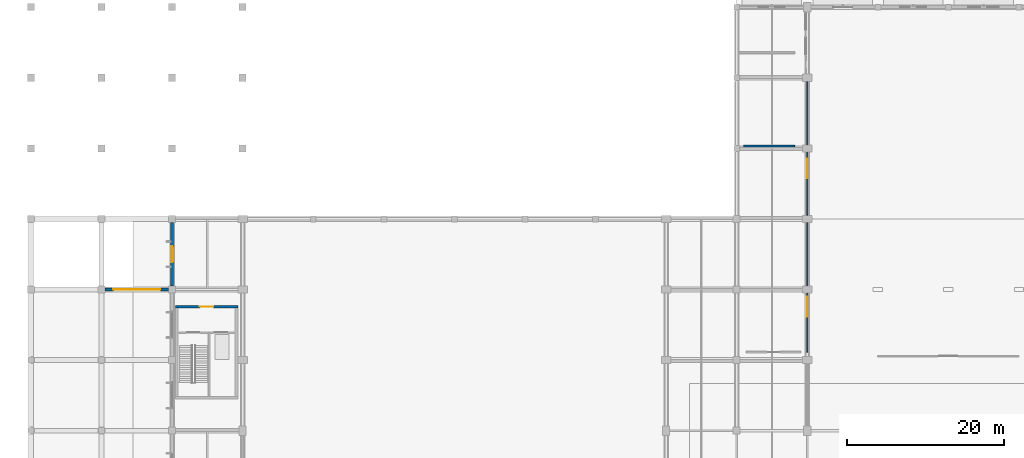
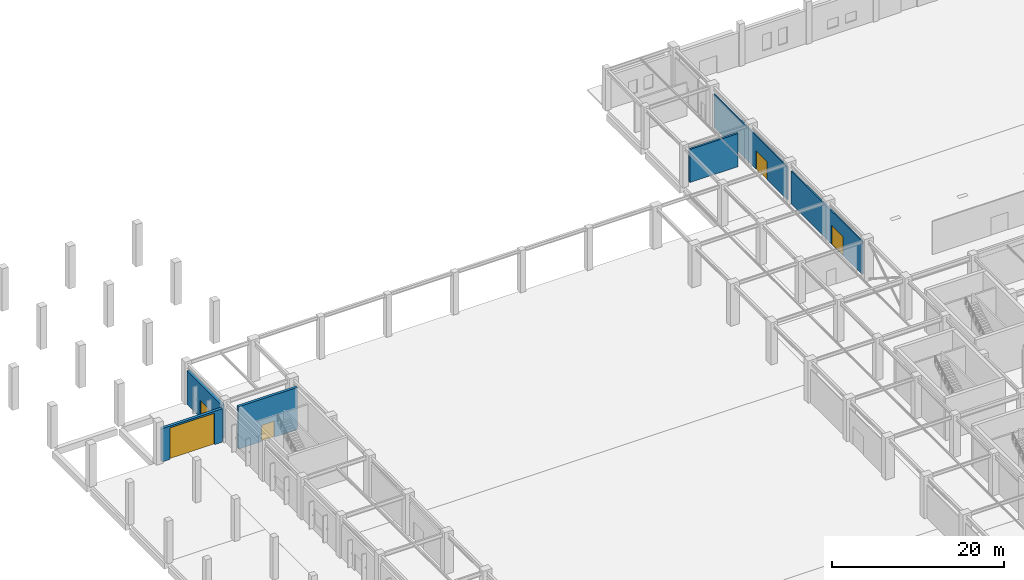
# One storey, part 67 of 91: 6 walls, 5 doors, 5 openings.
"""IFC4 building model written with IfcOpenShell, lengths in metres."""

from ifc_helpers import new_model, si_unit, direction, frame, frame_2d, origin, place, context, subcontext, project, spatial, rectangle, extrude, material, layer, layer_set, type_object, element, fill, save


model = new_model("IFC4")

# Units and contexts
model_context = context("Model", 3, precision=1e-05, world=origin(), true_north=direction((0.0, 1.0)))
body_context = subcontext(model_context, "Body", "Model", "MODEL_VIEW")
ifc_project = project(units=[si_unit("LENGTHUNIT", "METRE"), si_unit("AREAUNIT", "SQUARE_METRE"), si_unit("VOLUMEUNIT", "CUBIC_METRE"), si_unit("PLANEANGLEUNIT", "RADIAN"), si_unit("MASSUNIT", "GRAM", prefix="KILO")], contexts=[model_context])

# Site, building, storey
site_placement = place(None, origin())
site = spatial("IfcSite", under=ifc_project, at=site_placement, CompositionType="ELEMENT")
building_placement = place(site_placement, origin())
building = spatial("IfcBuilding", under=site, at=building_placement, Name="Dornveld Trade and Exhibition Forum", CompositionType="ELEMENT")
storey_placement = place(building_placement, origin())
storey = spatial("IfcBuildingStorey", under=building, at=storey_placement, Name="L00", CompositionType="ELEMENT", Elevation=0.0)

# Wall, opening, door
ifc_material_1 = material(Name="Concrete C40/50", Category="concrete")
ifc_layer_1 = layer(ifc_material_1, 0.35009765625)
ifc_layer_set_1 = layer_set([ifc_layer_1], Name="Concrete C40/50")
wall_type_1 = type_object("IfcWallType", Name="WL-CORE-350", PredefinedType="SHEAR", material=ifc_layer_set_1)
wall_1_placement = place(storey_placement, frame((18.425048828125, 123.800048828125, 0.0), z_axis=(0.0, 0.0, 1.0), x_axis=(1.0, 0.0, 0.0)))
wall_1 = element("IfcWall", 1, at=wall_1_placement, inside=storey, type_object=wall_type_1, Name="CORE-10 L00 shear wall N", PredefinedType="SHEAR", context=body_context, shape_type="SweptSolid", body=[
    extrude(rectangle(XDim=7.949951171875, YDim=0.35009765625, at=frame_2d((3.97509765625, 0.0))), origin(), (0.0, 0.0, 1.0), 6.0),
])
opening_1_placement = place(wall_1_placement, frame((3.10009765625, 0.0, 0.0)))
opening_1 = element("IfcOpeningElement", 2, at=opening_1_placement, cuts=wall_1, Name="Opening CD-10-L00", PredefinedType="OPENING", context=body_context, shape_type="SweptSolid", body=[
    extrude(rectangle(XDim=1.75, YDim=2.300048828125, at=frame_2d((0.875, 1.14990234375))), frame((0.0, 0.18505859375, 0.0), z_axis=(0.0, -1.0, 0.0), x_axis=(1.0, 0.0, 0.0)), (0.0, 0.0, 1.0), 0.3701171875),
])
ifc_material_2 = material(Name="Steel fire-rated double door assembly", Category="steel")
door_type_1 = type_object("IfcDoorType", Name="DR-CORE-175x230", OperationType="NOTDEFINED", PredefinedType="DOOR", material=ifc_material_2)
door_1_placement = place(opening_1_placement, origin())
door_1 = element("IfcDoor", 3, at=door_1_placement, inside=storey, type_object=door_type_1, Name="CORE-10 L00 core lobby double fire door", OperationType="DOUBLE_DOOR_SINGLE_SWING", OverallHeight=2.300048828125, OverallWidth=1.75, PredefinedType="DOOR", context=body_context, shape_type="SweptSolid", body=[
    extrude(rectangle(XDim=1.75, YDim=2.300048828125, at=frame_2d((0.875, 1.14990234375))), frame((0.0, 0.02490234375, 0.0), z_axis=(0.0, -1.0, 0.0), x_axis=(1.0, 0.0, 0.0)), (0.0, 0.0, 1.0), 0.050048828125),
])
fill(opening_1, door_1)

ifc_material_3 = material(Name="Precast concrete C50/60", Category="concrete")
ifc_layer_2 = layer(ifc_material_3, 0.3798828125)
ifc_layer_set_2 = layer_set([ifc_layer_2], Name="Precast concrete C50/60")
wall_type_2 = type_object("IfcWallType", Name="WL-EXT-PC380", PredefinedType="SOLIDWALL", material=ifc_layer_set_2)
wall_2_placement = place(storey_placement, frame((9.449462890625, 126.0, 0.0), z_axis=(0.0, 0.0, 1.0), x_axis=(1.0, 0.0, 0.0)))
wall_2 = element("IfcWall", 4, at=wall_2_placement, inside=storey, type_object=wall_type_2, Name="L00 precast facade wall 26", PredefinedType="SOLIDWALL", context=body_context, shape_type="SweptSolid", body=[
    extrude(rectangle(XDim=8.10107421875, YDim=0.3798828125, at=frame_2d((4.050537109375, 0.0))), origin(), (0.0, 0.0, 1.0), 4.719970703125),
])
opening_2_placement = place(wall_2_placement, frame((1.050537109375, 0.0, 0.0)))
opening_2 = element("IfcOpeningElement", 5, at=opening_2_placement, cuts=wall_2, Name="Opening VG-01", PredefinedType="OPENING", context=body_context, shape_type="SweptSolid", body=[
    extrude(rectangle(XDim=6.0, YDim=4.469970703125, at=frame_2d((3.0, 2.23486328125))), frame((0.0, 0.199951171875, 0.0), z_axis=(0.0, -1.0, 0.0), x_axis=(1.0, 0.0, 0.0)), (0.0, 0.0, 1.0), 0.39990234375),
])
ifc_material_4 = material(Name="Galvanised insulated steel", Category="steel")
door_type_2 = type_object("IfcDoorType", Name="DR-GATE-600x480", OperationType="NOTDEFINED", PredefinedType="GATE", material=ifc_material_4)
door_2_placement = place(opening_2_placement, frame((6.0, 0.0, 0.0), z_axis=(0.0, 0.0, 1.0), x_axis=(-1.0, 0.0, 0.0)))
door_2 = element("IfcDoor", 6, at=door_2_placement, inside=storey, type_object=door_type_2, Name="Heavy vehicle roller-shutter gate VG-01", OperationType="ROLLINGUP", OverallHeight=4.469970703125, OverallWidth=6.0, PredefinedType="GATE", context=body_context, shape_type="SweptSolid", body=[
    extrude(rectangle(XDim=6.0, YDim=4.469970703125, at=frame_2d((3.0, 2.23486328125))), frame((0.0, 0.02490234375, 0.0), z_axis=(0.0, -1.0, 0.0), x_axis=(1.0, 0.0, 0.0)), (0.0, 0.0, 1.0), 0.050048828125),
])
fill(opening_2, door_2)

wall_3_placement = place(storey_placement, frame((18.0, 134.550537109375, 0.0), z_axis=(0.0, 0.0, 1.0), x_axis=(0.0, -1.0, 0.0)))
wall_3 = element("IfcWall", 7, at=wall_3_placement, inside=storey, type_object=wall_type_2, Name="L00 precast facade wall 76", PredefinedType="SOLIDWALL", context=body_context, shape_type="SweptSolid", body=[
    extrude(rectangle(XDim=8.10107421875, YDim=0.3798828125, at=frame_2d((4.050537109375, 0.0))), origin(), (0.0, 0.0, 1.0), 4.719970703125),
])
opening_3_placement = place(wall_3_placement, frame((3.050537109375, 0.0, 0.0)))
opening_3 = element("IfcOpeningElement", 8, at=opening_3_placement, cuts=wall_3, Name="Opening ED-19", PredefinedType="OPENING", context=body_context, shape_type="SweptSolid", body=[
    extrude(rectangle(XDim=2.0, YDim=2.39990234375, at=frame_2d((1.0, 1.199951171875))), frame((0.0, 0.199951171875, 0.0), z_axis=(0.0, -1.0, 0.0), x_axis=(1.0, 0.0, 0.0)), (0.0, 0.0, 1.0), 0.39990234375),
])
ifc_material_5 = material(Name="Dark-bronze anodised aluminium and laminated safety glass", Category="aluminium")
door_type_3 = type_object("IfcDoorType", Name="DR-EXT-200x240", OperationType="NOTDEFINED", PredefinedType="DOOR", material=ifc_material_5)
door_3_placement = place(opening_3_placement, frame((2.0, 0.0, 0.0), z_axis=(0.0, 0.0, 1.0), x_axis=(-1.0, 0.0, 0.0)))
door_3 = element("IfcDoor", 9, at=door_3_placement, inside=storey, type_object=door_type_3, Name="Ground final exit double door 19", OperationType="DOUBLE_DOOR_SINGLE_SWING", OverallHeight=2.39990234375, OverallWidth=2.0, PredefinedType="DOOR", context=body_context, shape_type="SweptSolid", body=[
    extrude(rectangle(XDim=2.0, YDim=2.39990234375, at=frame_2d((1.0, 1.199951171875))), frame((0.0, 0.02490234375, 0.0), z_axis=(0.0, -1.0, 0.0), x_axis=(1.0, 0.0, 0.0)), (0.0, 0.0, 1.0), 0.050048828125),
])
fill(opening_3, door_3)

# Wall
ifc_material_6 = material(Name="Acoustic twin-stud gypsum and mineral wool", Category="gypsum")
ifc_layer_3 = layer(ifc_material_6, 0.25)
ifc_layer_set_3 = layer_set([ifc_layer_3], Name="Acoustic twin-stud gypsum and mineral wool")
wall_type_3 = type_object("IfcWallType", Name="WL-INT-AC250", PredefinedType="PARTITIONING", material=ifc_layer_set_3)
wall_4_placement = place(storey_placement, frame((90.8798828125, 144.300048828125, 0.0), z_axis=(0.0, 0.0, 1.0), x_axis=(1.0, 0.0, 0.0)))
element("IfcWall", 10, at=wall_4_placement, inside=storey, type_object=wall_type_3, Name="L00 interior partition 3", PredefinedType="PARTITIONING", context=body_context, shape_type="SweptSolid", body=[
    extrude(rectangle(XDim=6.5, YDim=0.25, at=frame_2d((3.25, 0.0))), origin(), (0.0, 0.0, 1.0), 4.699951171875),
])

# Wall, opening, door
ifc_material_7 = material(Name="Fire-rated steel-stud gypsum board", Category="steel")
ifc_layer_4 = layer(ifc_material_7, 0.169921875)
ifc_layer_set_4 = layer_set([ifc_layer_4], Name="Fire-rated steel-stud gypsum board")
wall_type_4 = type_object("IfcWallType", Name="WL-INT-FR170", PredefinedType="PARTITIONING", material=ifc_layer_set_4)
wall_5_placement = place(storey_placement, frame((99.0, 118.02001953125, 0.0), z_axis=(0.0, 0.0, 1.0), x_axis=(0.0, 1.0, 0.0)))
wall_5 = element("IfcWall", 11, at=wall_5_placement, inside=storey, type_object=wall_type_4, Name="L00 interior partition 18", PredefinedType="PARTITIONING", context=body_context, shape_type="SweptSolid", body=[
    extrude(rectangle(XDim=16.5, YDim=0.169921875, at=frame_2d((8.25, 0.0))), origin(), (0.0, 0.0, 1.0), 4.699951171875),
])
opening_4_placement = place(wall_5_placement, frame((4.47509765625, 0.0, 0.0)))
opening_4 = element("IfcOpeningElement", 12, at=opening_4_placement, cuts=wall_5, Name="Opening HD-01-008", PredefinedType="OPENING", context=body_context, shape_type="SweptSolid", body=[
    extrude(rectangle(XDim=2.60009765625, YDim=2.699951171875, at=frame_2d((1.300048828125, 1.35009765625))), frame((0.0, 0.094970703125, 0.0), z_axis=(0.0, -1.0, 0.0), x_axis=(1.0, 0.0, 0.0)), (0.0, 0.0, 1.0), 0.18994140625),
])
ifc_material_8 = material(Name="Acoustic steel exhibition double door", Category="steel")
door_type_4 = type_object("IfcDoorType", Name="DR-HALL-260x270", OperationType="NOTDEFINED", PredefinedType="DOOR", material=ifc_material_8)
door_4_placement = place(opening_4_placement, origin())
door_4 = element("IfcDoor", 13, at=door_4_placement, inside=storey, type_object=door_type_4, Name="L00 interior room door 8", OperationType="DOUBLE_DOOR_SINGLE_SWING", OverallHeight=2.699951171875, OverallWidth=2.60009765625, PredefinedType="DOOR", context=body_context, shape_type="SweptSolid", body=[
    extrude(rectangle(XDim=2.60009765625, YDim=2.699951171875, at=frame_2d((1.300048828125, 1.35009765625))), frame((0.0, 0.02490234375, 0.0), z_axis=(0.0, -1.0, 0.0), x_axis=(1.0, 0.0, 0.0)), (0.0, 0.0, 1.0), 0.050048828125),
])
fill(opening_4, door_4)

ifc_material_9 = material(Name="Steel-stud gypsum partition", Category="steel")
ifc_layer_5 = layer(ifc_material_9, 0.155029296875)
ifc_layer_set_5 = layer_set([ifc_layer_5], Name="Steel-stud gypsum partition")
wall_type_5 = type_object("IfcWallType", Name="WL-INT-ST155", PredefinedType="PARTITIONING", material=ifc_layer_set_5)
wall_6_placement = place(storey_placement, frame((99.0, 135.47998046875, 0.0), z_axis=(0.0, 0.0, 1.0), x_axis=(0.0, 1.0, 0.0)))
wall_6 = element("IfcWall", 14, at=wall_6_placement, inside=storey, type_object=wall_type_5, Name="L00 interior partition 19", PredefinedType="PARTITIONING", context=body_context, shape_type="SweptSolid", body=[
    extrude(rectangle(XDim=17.0400390625, YDim=0.155029296875, at=frame_2d((8.52001953125, 0.0))), origin(), (0.0, 0.0, 1.0), 4.699951171875),
])
opening_5_placement = place(wall_6_placement, frame((4.714111328125, 0.0, 0.0)))
opening_5 = element("IfcOpeningElement", 15, at=opening_5_placement, cuts=wall_6, Name="Opening HD-02-009", PredefinedType="OPENING", context=body_context, shape_type="SweptSolid", body=[
    extrude(rectangle(XDim=2.5, YDim=2.60009765625, at=frame_2d((1.25, 1.300048828125))), frame((0.0, 0.08740234375, 0.0), z_axis=(0.0, -1.0, 0.0), x_axis=(1.0, 0.0, 0.0)), (0.0, 0.0, 1.0), 0.175048828125),
])
ifc_material_10 = material(Name="Acoustic steel exhibition double door", Category="steel")
door_type_5 = type_object("IfcDoorType", Name="DR-HALL-250x260", OperationType="NOTDEFINED", PredefinedType="DOOR", material=ifc_material_10)
door_5_placement = place(opening_5_placement, origin())
door_5 = element("IfcDoor", 16, at=door_5_placement, inside=storey, type_object=door_type_5, Name="L00 interior room door 9", OperationType="DOUBLE_DOOR_SINGLE_SWING", OverallHeight=2.60009765625, OverallWidth=2.5, PredefinedType="DOOR", context=body_context, shape_type="SweptSolid", body=[
    extrude(rectangle(XDim=2.5, YDim=2.60009765625, at=frame_2d((1.25, 1.300048828125))), frame((0.0, 0.02490234375, 0.0), z_axis=(0.0, -1.0, 0.0), x_axis=(1.0, 0.0, 0.0)), (0.0, 0.0, 1.0), 0.050048828125),
])
fill(opening_5, door_5)

save(model, "model.ifc")
